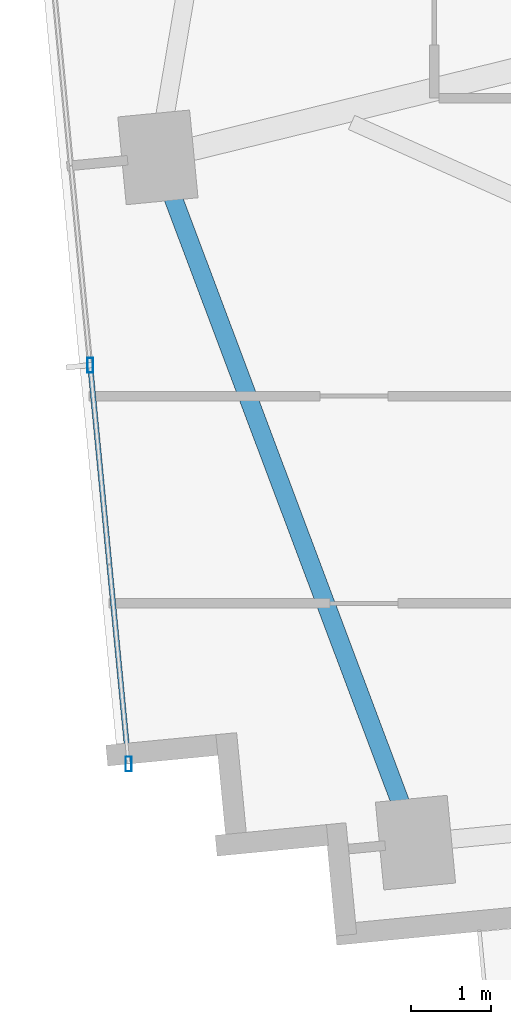
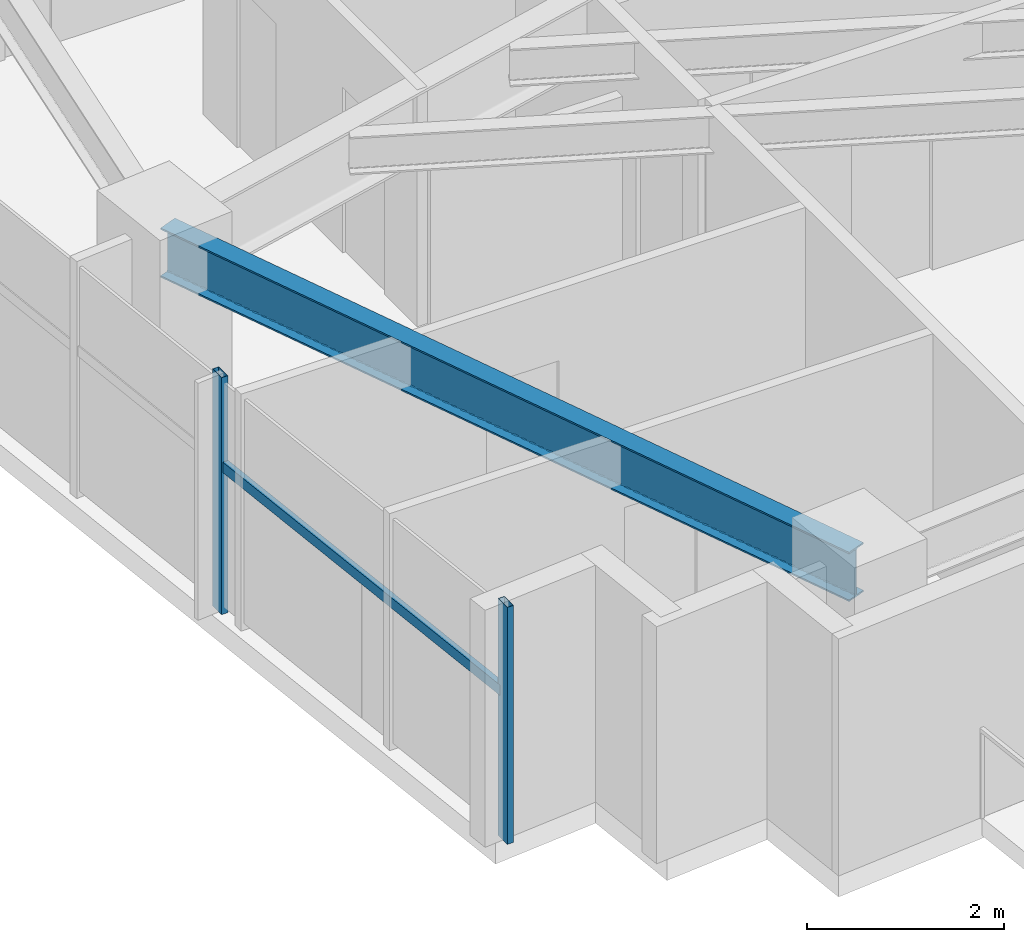
# One storey, part 2 of 27: 3 members, 1 beam, 1 element without a shape of its own.
"""IFC4 building model written with IfcOpenShell, lengths in metres."""

from ifc_helpers import new_model, si_unit, direction, frame, origin, origin_2d, place, context, subcontext, project, spatial, hollow_rectangle, i_section, extrude, source, transform, mapped, material, material_profile, profile_set, type_object, type_shapes, element, aggregate, save


model = new_model("IFC4")

# Units and contexts
model_context = context("Model", 3, precision=1e-05, world=origin(), true_north=direction((0.0, 1.0)))
body_context = subcontext(model_context, "Body", "Model", "MODEL_VIEW")
ifc_project = project(units=[si_unit("LENGTHUNIT", "METRE"), si_unit("AREAUNIT", "SQUARE_METRE"), si_unit("VOLUMEUNIT", "CUBIC_METRE"), si_unit("PLANEANGLEUNIT", "RADIAN"), si_unit("MASSUNIT", "GRAM", prefix="KILO")], contexts=[model_context])

# Site, building, storey
site_placement = place(None, origin())
site = spatial("IfcSite", under=ifc_project, at=site_placement, CompositionType="ELEMENT")
building_placement = place(site_placement, origin())
building = spatial("IfcBuilding", under=site, at=building_placement, Name="Astriad Promenade Condominiums", CompositionType="ELEMENT")
storey_placement = place(building_placement, frame((0.0, 0.0, 97.0)))
storey = spatial("IfcBuildingStorey", under=building, at=storey_placement, Name="L27", CompositionType="ELEMENT", Elevation=97.0)

# Beam
ifc_material_1 = material(Name="Steel ASTM A992 Grade 50", Category="steel")
ifc_material_profile_1 = material_profile(ifc_material_1, i_section(OverallWidth=0.22900390625, OverallDepth=0.612060546875, WebThickness=0.011962890625, FlangeThickness=0.01953125, FilletRadius=0.017822265625, at=origin_2d()), Name="W24X84")
ifc_profile_set_1 = profile_set([ifc_material_profile_1], Name="Steel ASTM A992 Grade 50")
beam_type = type_object("IfcBeamType", Name="STEEL SPANDREL BEAM W24X84", PredefinedType="SPANDREL", material=ifc_profile_set_1)
shared_shape_1 = source(origin(), body_context, "Body", "SweptSolid", [
    extrude(i_section(OverallWidth=0.22900390625, OverallDepth=0.612060546875, WebThickness=0.011962890625, FlangeThickness=0.01953125, FilletRadius=0.017822265625, at=origin_2d()), origin(), (0.0, 0.0, 1.0), 9.055419921875),
])
type_shapes(beam_type, [shared_shape_1])
beam_placement = place(storey_placement, frame((10.765625, 13.523193359375, 2.6337890625), z_axis=(0.351864937141, -0.936050781748, 0.0), x_axis=(0.936050781748, 0.351864937141, 0.0)))
element("IfcBeam", 1, at=beam_placement, inside=storey, type_object=beam_type, Name="Perimeter Spandrel Beam SP-W1-L27", PredefinedType="SPANDREL", context=body_context, shape_type="MappedRepresentation", body=[
    mapped(shared_shape_1, transform((0.0, 0.0, 0.0), scale=1.0)),
])

# Curtain wall, members
ifc_material_2 = material(Name="Anodised aluminium Black Dark Glass Unitised", Category="aluminium")
curtain_wall_type = type_object("IfcCurtainWallType", Name="CW-B2-DARK", PredefinedType="USERDEFINED", material=ifc_material_2)
curtain_wall_placement = place(storey_placement, origin())
curtain_wall = element("IfcCurtainWall", 2, at=curtain_wall_placement, inside=storey, type_object=curtain_wall_type, Name="CW-L27-W", ObjectType="UNITISED_CURTAIN_WALL", PredefinedType="USERDEFINED")
ifc_material_3 = material(Name="Anodised aluminium 6063-T6 Black", Category="aluminium")
ifc_material_profile_2 = material_profile(ifc_material_3, hollow_rectangle(XDim=0.074951171875, YDim=0.18505859375, WallThickness=0.00439453125, at=origin_2d()), Name="ALU-MUL-75X185")
ifc_profile_set_2 = profile_set([ifc_material_profile_2], Name="Anodised aluminium 6063-T6 Black")
member_type_1 = type_object("IfcMemberType", Name="MUL-ALU-MUL-75X185", PredefinedType="MULLION", material=ifc_profile_set_2)
shared_shape_2 = source(origin(), body_context, "Body", "SweptSolid", [
    extrude(hollow_rectangle(XDim=0.074951171875, YDim=0.18505859375, WallThickness=0.00439453125, at=origin_2d()), origin(), (0.0, 0.0, 1.0), 2.93994140625),
])
type_shapes(member_type_1, [shared_shape_2])
member_1_placement = place(storey_placement, frame((10.385498046875, 5.99072265625, 0.0), z_axis=(0.0, 0.0, 1.0), x_axis=(1.0, 0.0, 0.0)))
member_1 = element("IfcMember", 3, at=member_1_placement, type_object=member_type_1, Name="CW-L27-W-MUL-00", PredefinedType="MULLION", context=body_context, shape_type="MappedRepresentation", body=[
    mapped(shared_shape_2, transform((0.0, 0.0, 0.0), scale=1.0)),
])
member_2_placement = place(storey_placement, frame((9.90625, 10.9677734375, 0.0), z_axis=(0.0, 0.0, 1.0), x_axis=(1.0, 0.0, 0.0)))
member_2 = element("IfcMember", 4, at=member_2_placement, type_object=member_type_1, Name="CW-L27-W-MUL-01", PredefinedType="MULLION", context=body_context, shape_type="MappedRepresentation", body=[
    mapped(shared_shape_2, transform((0.0, 0.0, 0.0), scale=1.0)),
])
ifc_material_profile_3 = material_profile(ifc_material_3, hollow_rectangle(XDim=0.06494140625, YDim=0.1298828125, WallThickness=0.00390625, at=origin_2d()), Name="ALU-TRN-65X130")
ifc_profile_set_3 = profile_set([ifc_material_profile_3], Name="Anodised aluminium 6063-T6 Black")
member_type_2 = type_object("IfcMemberType", Name="TRN-ALU-TRN-65X130", PredefinedType="USERDEFINED", material=ifc_profile_set_3)
shared_shape_3 = source(origin(), body_context, "Body", "SweptSolid", [
    extrude(hollow_rectangle(XDim=0.06494140625, YDim=0.1298828125, WallThickness=0.00390625, at=origin_2d()), origin(), (0.0, 0.0, 1.0), 5.0),
])
type_shapes(member_type_2, [shared_shape_3])
member_3_placement = place(storey_placement, frame((10.385498046875, 5.99072265625, 1.82275390625), z_axis=(-0.095848242264, 0.995395958629, 0.0), x_axis=(-0.995395958629, -0.095848242264, 0.0)))
member_3 = element("IfcMember", 5, at=member_3_placement, type_object=member_type_2, Name="CW-L27-W-TRN-00-0", ObjectType="TRANSOM", PredefinedType="USERDEFINED", context=body_context, shape_type="MappedRepresentation", body=[
    mapped(shared_shape_3, transform((0.0, 0.0, 0.0), scale=1.0)),
])
aggregate(curtain_wall, [member_1, member_2, member_3])

save(model, "model.ifc")
